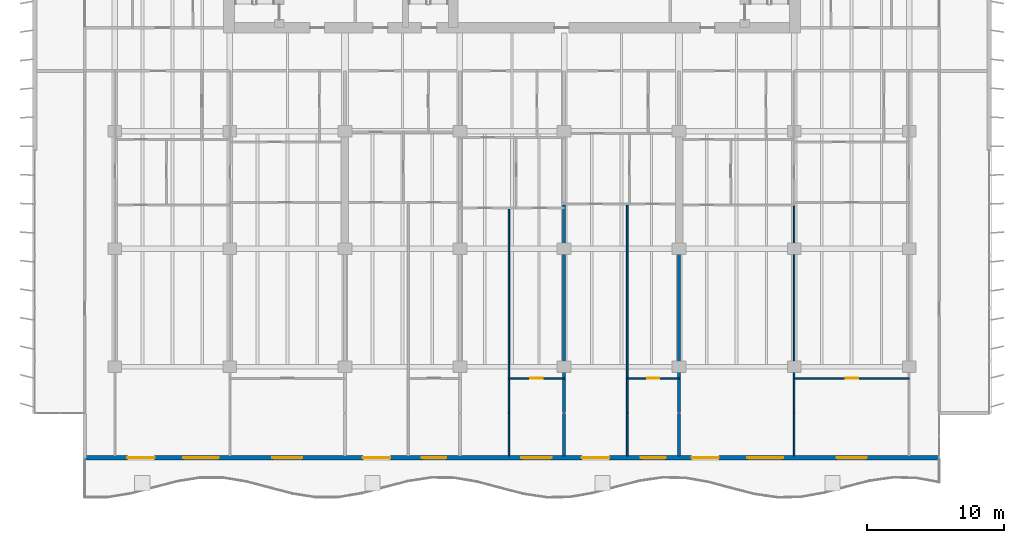
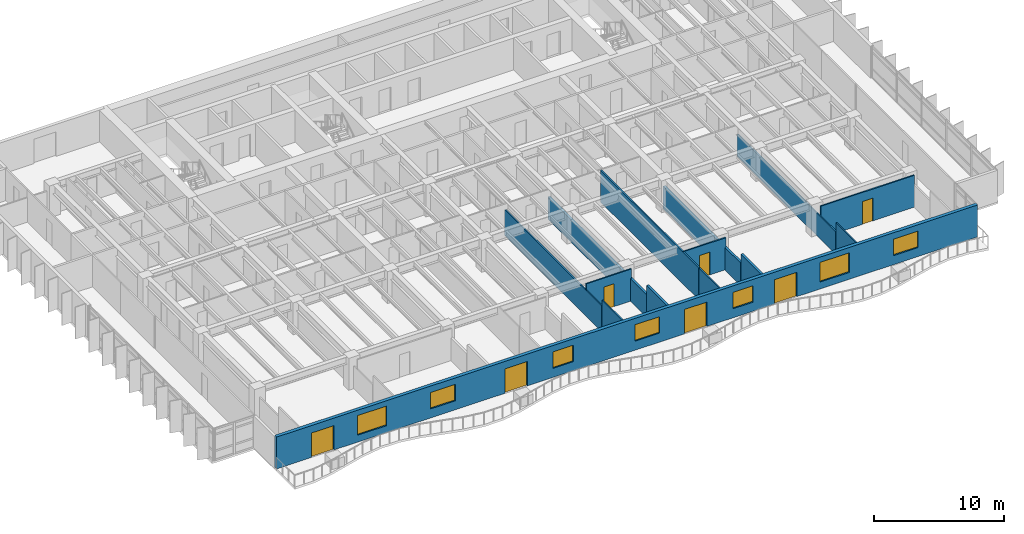
# One storey, part 8 of 19: 14 walls, 7 doors, 7 windows, 14 openings.
"""IFC4 building model written with IfcOpenShell, lengths in metres."""

from ifc_helpers import new_model, si_unit, direction, frame, frame_2d, origin, place, context, subcontext, project, spatial, rectangle, extrude, material, layer, layer_set, type_object, element, fill, save


model = new_model("IFC4")

# Units and contexts
model_context = context("Model", 3, precision=1e-05, world=origin(), true_north=direction((0.0, 1.0)))
body_context = subcontext(model_context, "Body", "Model", "MODEL_VIEW")
ifc_project = project(units=[si_unit("LENGTHUNIT", "METRE"), si_unit("AREAUNIT", "SQUARE_METRE"), si_unit("VOLUMEUNIT", "CUBIC_METRE"), si_unit("PLANEANGLEUNIT", "RADIAN"), si_unit("MASSUNIT", "GRAM", prefix="KILO")], contexts=[model_context])

# Site, building, storey
site_placement = place(None, origin())
site = spatial("IfcSite", under=ifc_project, at=site_placement, CompositionType="ELEMENT")
building_placement = place(site_placement, origin())
building = spatial("IfcBuilding", under=site, at=building_placement, Name="Caelmar Bay Residences", CompositionType="ELEMENT")
storey_placement = place(building_placement, frame((0.0, 0.0, 94.5)))
storey = spatial("IfcBuildingStorey", under=building, at=storey_placement, Name="L25", CompositionType="ELEMENT", Elevation=94.5)

# Wall, openings, doors, windows
ifc_material_1 = material(Name="Precast concrete f'c 40 MPa (6,000 psi)", Category="concrete")
ifc_layer_1 = layer(ifc_material_1, 0.300048828125)
ifc_layer_set_1 = layer_set([ifc_layer_1], Name="Precast concrete f'c 40 MPa (6,000 psi)")
wall_type_1 = type_object("IfcWallType", Name="W-EXT-300", PredefinedType="STANDARD", material=ifc_layer_set_1)
wall_1_placement = place(storey_placement, frame((70.10009765625, 5.550048828125, 0.0), z_axis=(0.0, 0.0, 1.0), x_axis=(-1.0, 0.0, 0.0)))
wall_1 = element("IfcWall", 1, at=wall_1_placement, inside=storey, type_object=wall_type_1, Name="L25 South Bayfront Exterior Wall", PredefinedType="STANDARD", context=body_context, shape_type="SweptSolid", body=[
    extrude(rectangle(XDim=62.400146484375, YDim=0.300048828125, at=frame_2d((31.2001953125, 0.0))), origin(), (0.0, 0.0, 1.0), 3.0),
])
opening_1_placement = place(wall_1_placement, frame((57.2900390625, 0.0, 0.0)))
opening_1 = element("IfcOpeningElement", 2, at=opening_1_placement, cuts=wall_1, Name="Opening L25-BD01", PredefinedType="OPENING", context=body_context, shape_type="SweptSolid", body=[
    extrude(rectangle(XDim=2.0, YDim=2.300048828125, at=frame_2d((1.0, 1.14990234375))), frame((0.0, 0.159912109375, 0.0), z_axis=(0.0, -1.0, 0.0), x_axis=(1.0, 0.0, 0.0)), (0.0, 0.0, 1.0), 0.320068359375),
])
opening_2_placement = place(wall_1_placement, frame((52.610107421875, 0.0, 0.64990234375)))
opening_2 = element("IfcOpeningElement", 3, at=opening_2_placement, cuts=wall_1, Name="Opening WN3", PredefinedType="OPENING", context=body_context, shape_type="SweptSolid", body=[
    extrude(rectangle(XDim=2.60009765625, YDim=1.85009765625, at=frame_2d((1.300048828125, 0.925048828125))), frame((0.0, 0.159912109375, 0.0), z_axis=(0.0, -1.0, 0.0), x_axis=(1.0, 0.0, 0.0)), (0.0, 0.0, 1.0), 0.320068359375),
])
opening_3_placement = place(wall_1_placement, frame((46.5, 0.0, 0.85009765625)))
opening_3 = element("IfcOpeningElement", 4, at=opening_3_placement, cuts=wall_1, Name="Opening WN2", PredefinedType="OPENING", context=body_context, shape_type="SweptSolid", body=[
    extrude(rectangle(XDim=2.199951171875, YDim=1.550048828125, at=frame_2d((1.10009765625, 0.77490234375))), frame((0.0, 0.159912109375, 0.0), z_axis=(0.0, -1.0, 0.0), x_axis=(1.0, 0.0, 0.0)), (0.0, 0.0, 1.0), 0.320068359375),
])
opening_4_placement = place(wall_1_placement, frame((40.090087890625, 0.0, 0.0)))
opening_4 = element("IfcOpeningElement", 5, at=opening_4_placement, cuts=wall_1, Name="Opening L25-BD02", PredefinedType="OPENING", context=body_context, shape_type="SweptSolid", body=[
    extrude(rectangle(XDim=2.0, YDim=2.300048828125, at=frame_2d((1.0, 1.14990234375))), frame((0.0, 0.159912109375, 0.0), z_axis=(0.0, -1.0, 0.0), x_axis=(1.0, 0.0, 0.0)), (0.0, 0.0, 1.0), 0.320068359375),
])
opening_5_placement = place(wall_1_placement, frame((35.989990234375, 0.0, 0.85009765625)))
opening_5 = element("IfcOpeningElement", 6, at=opening_5_placement, cuts=wall_1, Name="Opening WN1", PredefinedType="OPENING", context=body_context, shape_type="SweptSolid", body=[
    extrude(rectangle(XDim=1.800048828125, YDim=1.550048828125, at=frame_2d((0.89990234375, 0.77490234375))), frame((0.0, 0.159912109375, 0.0), z_axis=(0.0, -1.0, 0.0), x_axis=(1.0, 0.0, 0.0)), (0.0, 0.0, 1.0), 0.320068359375),
])
opening_6_placement = place(wall_1_placement, frame((28.31396484375, 0.0, 0.85009765625)))
opening_6 = element("IfcOpeningElement", 7, at=opening_6_placement, cuts=wall_1, Name="Opening WN2", PredefinedType="OPENING", context=body_context, shape_type="SweptSolid", body=[
    extrude(rectangle(XDim=2.199951171875, YDim=1.550048828125, at=frame_2d((1.10009765625, 0.77490234375))), frame((0.0, 0.159912109375, 0.0), z_axis=(0.0, -1.0, 0.0), x_axis=(1.0, 0.0, 0.0)), (0.0, 0.0, 1.0), 0.320068359375),
])
opening_7_placement = place(wall_1_placement, frame((24.090087890625, 0.0, 0.0)))
opening_7 = element("IfcOpeningElement", 8, at=opening_7_placement, cuts=wall_1, Name="Opening L25-BD03", PredefinedType="OPENING", context=body_context, shape_type="SweptSolid", body=[
    extrude(rectangle(XDim=2.0, YDim=2.300048828125, at=frame_2d((1.0, 1.14990234375))), frame((0.0, 0.159912109375, 0.0), z_axis=(0.0, -1.0, 0.0), x_axis=(1.0, 0.0, 0.0)), (0.0, 0.0, 1.0), 0.320068359375),
])
opening_8_placement = place(wall_1_placement, frame((19.989990234375, 0.0, 0.85009765625)))
opening_8 = element("IfcOpeningElement", 9, at=opening_8_placement, cuts=wall_1, Name="Opening WN1", PredefinedType="OPENING", context=body_context, shape_type="SweptSolid", body=[
    extrude(rectangle(XDim=1.800048828125, YDim=1.550048828125, at=frame_2d((0.89990234375, 0.77490234375))), frame((0.0, 0.159912109375, 0.0), z_axis=(0.0, -1.0, 0.0), x_axis=(1.0, 0.0, 0.0)), (0.0, 0.0, 1.0), 0.320068359375),
])
opening_9_placement = place(wall_1_placement, frame((16.090087890625, 0.0, 0.0)))
opening_9 = element("IfcOpeningElement", 10, at=opening_9_placement, cuts=wall_1, Name="Opening L25-BD04", PredefinedType="OPENING", context=body_context, shape_type="SweptSolid", body=[
    extrude(rectangle(XDim=2.0, YDim=2.300048828125, at=frame_2d((1.0, 1.14990234375))), frame((0.0, 0.159912109375, 0.0), z_axis=(0.0, -1.0, 0.0), x_axis=(1.0, 0.0, 0.0)), (0.0, 0.0, 1.0), 0.320068359375),
])
opening_10_placement = place(wall_1_placement, frame((11.409912109375, 0.0, 0.64990234375)))
opening_10 = element("IfcOpeningElement", 11, at=opening_10_placement, cuts=wall_1, Name="Opening WN3", PredefinedType="OPENING", context=body_context, shape_type="SweptSolid", body=[
    extrude(rectangle(XDim=2.60009765625, YDim=1.85009765625, at=frame_2d((1.300048828125, 0.925048828125))), frame((0.0, 0.159912109375, 0.0), z_axis=(0.0, -1.0, 0.0), x_axis=(1.0, 0.0, 0.0)), (0.0, 0.0, 1.0), 0.320068359375),
])
opening_11_placement = place(wall_1_placement, frame((5.300048828125, 0.0, 0.85009765625)))
opening_11 = element("IfcOpeningElement", 12, at=opening_11_placement, cuts=wall_1, Name="Opening WN2", PredefinedType="OPENING", context=body_context, shape_type="SweptSolid", body=[
    extrude(rectangle(XDim=2.199951171875, YDim=1.550048828125, at=frame_2d((1.10009765625, 0.77490234375))), frame((0.0, 0.159912109375, 0.0), z_axis=(0.0, -1.0, 0.0), x_axis=(1.0, 0.0, 0.0)), (0.0, 0.0, 1.0), 0.320068359375),
])
ifc_material_2 = material(Name="Anodised bronze thermally broken sliding glass door", Category="glass")
ifc_layer_2 = layer(ifc_material_2, 0.050048828125)
ifc_layer_set_2 = layer_set([ifc_layer_2], Name="Anodised bronze thermally broken sliding glass door")
door_type_1 = type_object("IfcDoorType", Name="D-BAL-2000", OperationType="DOUBLE_DOOR_SLIDING", PredefinedType="DOOR", material=ifc_layer_set_2)
door_1_placement = place(opening_1_placement, origin())
door_1 = element("IfcDoor", 13, at=door_1_placement, inside=storey, type_object=door_type_1, Name="L25 Residence 01 Penthouse Living Salon Balcony Door", OperationType="DOUBLE_DOOR_SLIDING", OverallHeight=2.300048828125, OverallWidth=2.0, PredefinedType="DOOR", context=body_context, shape_type="SweptSolid", body=[
    extrude(rectangle(XDim=2.0, YDim=2.300048828125, at=frame_2d((1.0, 1.14990234375))), frame((0.0, 0.02490234375, 0.0), z_axis=(0.0, -1.0, 0.0), x_axis=(1.0, 0.0, 0.0)), (0.0, 0.0, 1.0), 0.050048828125),
])
fill(opening_1, door_1)
door_2_placement = place(opening_4_placement, origin())
door_2 = element("IfcDoor", 14, at=door_2_placement, inside=storey, type_object=door_type_1, Name="L25 Residence 02 Penthouse Living Salon Balcony Door", OperationType="DOUBLE_DOOR_SLIDING", OverallHeight=2.300048828125, OverallWidth=2.0, PredefinedType="DOOR", context=body_context, shape_type="SweptSolid", body=[
    extrude(rectangle(XDim=2.0, YDim=2.300048828125, at=frame_2d((1.0, 1.14990234375))), frame((0.0, 0.02490234375, 0.0), z_axis=(0.0, -1.0, 0.0), x_axis=(1.0, 0.0, 0.0)), (0.0, 0.0, 1.0), 0.050048828125),
])
fill(opening_4, door_2)
door_3_placement = place(opening_7_placement, origin())
door_3 = element("IfcDoor", 15, at=door_3_placement, inside=storey, type_object=door_type_1, Name="L25 Residence 04 Penthouse Living Salon Balcony Door", OperationType="DOUBLE_DOOR_SLIDING", OverallHeight=2.300048828125, OverallWidth=2.0, PredefinedType="DOOR", context=body_context, shape_type="SweptSolid", body=[
    extrude(rectangle(XDim=2.0, YDim=2.300048828125, at=frame_2d((1.0, 1.14990234375))), frame((0.0, 0.02490234375, 0.0), z_axis=(0.0, -1.0, 0.0), x_axis=(1.0, 0.0, 0.0)), (0.0, 0.0, 1.0), 0.050048828125),
])
fill(opening_7, door_3)
door_4_placement = place(opening_9_placement, origin())
door_4 = element("IfcDoor", 16, at=door_4_placement, inside=storey, type_object=door_type_1, Name="L25 Residence 05 Penthouse Living Salon Balcony Door", OperationType="DOUBLE_DOOR_SLIDING", OverallHeight=2.300048828125, OverallWidth=2.0, PredefinedType="DOOR", context=body_context, shape_type="SweptSolid", body=[
    extrude(rectangle(XDim=2.0, YDim=2.300048828125, at=frame_2d((1.0, 1.14990234375))), frame((0.0, 0.02490234375, 0.0), z_axis=(0.0, -1.0, 0.0), x_axis=(1.0, 0.0, 0.0)), (0.0, 0.0, 1.0), 0.050048828125),
])
fill(opening_9, door_4)
ifc_material_3 = material(Name="Bronze aluminium frame with laminated low-E glass", Category="aluminium")
ifc_layer_3 = layer(ifc_material_3, 0.06005859375)
ifc_layer_set_3 = layer_set([ifc_layer_3], Name="Bronze aluminium frame with laminated low-E glass")
window_type_1 = type_object("IfcWindowType", Name="WIN-BR-1800", PartitioningType="SINGLE_PANEL", PredefinedType="WINDOW", material=ifc_layer_set_3)
window_1_placement = place(opening_5_placement, origin())
window_1 = element("IfcWindow", 17, at=window_1_placement, inside=storey, type_object=window_type_1, Name="L25 Residence 02 Primary Bedroom Window", OverallHeight=1.550048828125, OverallWidth=1.800048828125, PartitioningType="SINGLE_PANEL", PredefinedType="WINDOW", context=body_context, shape_type="SweptSolid", body=[
    extrude(rectangle(XDim=1.800048828125, YDim=1.550048828125, at=frame_2d((0.89990234375, 0.77490234375))), frame((0.0, 0.030029296875, 0.0), z_axis=(0.0, -1.0, 0.0), x_axis=(1.0, 0.0, 0.0)), (0.0, 0.0, 1.0), 0.06005859375),
])
fill(opening_5, window_1)
window_2_placement = place(opening_8_placement, origin())
window_2 = element("IfcWindow", 18, at=window_2_placement, inside=storey, type_object=window_type_1, Name="L25 Residence 04 Primary Bedroom Window", OverallHeight=1.550048828125, OverallWidth=1.800048828125, PartitioningType="SINGLE_PANEL", PredefinedType="WINDOW", context=body_context, shape_type="SweptSolid", body=[
    extrude(rectangle(XDim=1.800048828125, YDim=1.550048828125, at=frame_2d((0.89990234375, 0.77490234375))), frame((0.0, 0.030029296875, 0.0), z_axis=(0.0, -1.0, 0.0), x_axis=(1.0, 0.0, 0.0)), (0.0, 0.0, 1.0), 0.06005859375),
])
fill(opening_8, window_2)
ifc_layer_4 = layer(ifc_material_3, 0.06005859375)
ifc_layer_set_4 = layer_set([ifc_layer_4], Name="Bronze aluminium frame with laminated low-E glass")
window_type_2 = type_object("IfcWindowType", Name="WIN-BR-2200", PartitioningType="SINGLE_PANEL", PredefinedType="WINDOW", material=ifc_layer_set_4)
window_3_placement = place(opening_3_placement, origin())
window_3 = element("IfcWindow", 19, at=window_3_placement, inside=storey, type_object=window_type_2, Name="L25 Residence 01 Primary Bedroom 1 Window", OverallHeight=1.550048828125, OverallWidth=2.199951171875, PartitioningType="SINGLE_PANEL", PredefinedType="WINDOW", context=body_context, shape_type="SweptSolid", body=[
    extrude(rectangle(XDim=2.199951171875, YDim=1.550048828125, at=frame_2d((1.10009765625, 0.77490234375))), frame((0.0, 0.030029296875, 0.0), z_axis=(0.0, -1.0, 0.0), x_axis=(1.0, 0.0, 0.0)), (0.0, 0.0, 1.0), 0.06005859375),
])
fill(opening_3, window_3)
window_4_placement = place(opening_6_placement, origin())
window_4 = element("IfcWindow", 20, at=window_4_placement, inside=storey, type_object=window_type_2, Name="L25 Residence 03 Primary Bedroom Window", OverallHeight=1.550048828125, OverallWidth=2.199951171875, PartitioningType="SINGLE_PANEL", PredefinedType="WINDOW", context=body_context, shape_type="SweptSolid", body=[
    extrude(rectangle(XDim=2.199951171875, YDim=1.550048828125, at=frame_2d((1.10009765625, 0.77490234375))), frame((0.0, 0.030029296875, 0.0), z_axis=(0.0, -1.0, 0.0), x_axis=(1.0, 0.0, 0.0)), (0.0, 0.0, 1.0), 0.06005859375),
])
fill(opening_6, window_4)
window_5_placement = place(opening_11_placement, origin())
window_5 = element("IfcWindow", 21, at=window_5_placement, inside=storey, type_object=window_type_2, Name="L25 Residence 05 Primary Bedroom 1 Window", OverallHeight=1.550048828125, OverallWidth=2.199951171875, PartitioningType="SINGLE_PANEL", PredefinedType="WINDOW", context=body_context, shape_type="SweptSolid", body=[
    extrude(rectangle(XDim=2.199951171875, YDim=1.550048828125, at=frame_2d((1.10009765625, 0.77490234375))), frame((0.0, 0.030029296875, 0.0), z_axis=(0.0, -1.0, 0.0), x_axis=(1.0, 0.0, 0.0)), (0.0, 0.0, 1.0), 0.06005859375),
])
fill(opening_11, window_5)
ifc_layer_5 = layer(ifc_material_3, 0.06005859375)
ifc_layer_set_5 = layer_set([ifc_layer_5], Name="Bronze aluminium frame with laminated low-E glass")
window_type_3 = type_object("IfcWindowType", Name="WIN-LIV-2600", PartitioningType="SINGLE_PANEL", PredefinedType="WINDOW", material=ifc_layer_set_5)
window_6_placement = place(opening_2_placement, origin())
window_6 = element("IfcWindow", 22, at=window_6_placement, inside=storey, type_object=window_type_3, Name="L25 Residence 01 Penthouse Living Salon Panoramic Window", OverallHeight=1.85009765625, OverallWidth=2.60009765625, PartitioningType="SINGLE_PANEL", PredefinedType="WINDOW", context=body_context, shape_type="SweptSolid", body=[
    extrude(rectangle(XDim=2.60009765625, YDim=1.85009765625, at=frame_2d((1.300048828125, 0.925048828125))), frame((0.0, 0.030029296875, 0.0), z_axis=(0.0, -1.0, 0.0), x_axis=(1.0, 0.0, 0.0)), (0.0, 0.0, 1.0), 0.06005859375),
])
fill(opening_2, window_6)
window_7_placement = place(opening_10_placement, origin())
window_7 = element("IfcWindow", 23, at=window_7_placement, inside=storey, type_object=window_type_3, Name="L25 Residence 05 Penthouse Living Salon Panoramic Window", OverallHeight=1.85009765625, OverallWidth=2.60009765625, PartitioningType="SINGLE_PANEL", PredefinedType="WINDOW", context=body_context, shape_type="SweptSolid", body=[
    extrude(rectangle(XDim=2.60009765625, YDim=1.85009765625, at=frame_2d((1.300048828125, 0.925048828125))), frame((0.0, 0.030029296875, 0.0), z_axis=(0.0, -1.0, 0.0), x_axis=(1.0, 0.0, 0.0)), (0.0, 0.0, 1.0), 0.06005859375),
])
fill(opening_10, window_7)

# Walls
ifc_material_4 = material(Name="Acoustic metal-stud gypsum partition 120 mm")
ifc_layer_6 = layer(ifc_material_4, 0.1201171875)
ifc_layer_set_6 = layer_set([ifc_layer_6], Name="Acoustic metal-stud gypsum partition 120 mm")
wall_type_2 = type_object("IfcWallType", Name="W-PRT-120", PredefinedType="PARTITIONING", material=ifc_layer_set_6)
wall_2_placement = place(storey_placement, frame((38.672119140625, 5.695068359375, 0.0), z_axis=(0.0, 0.0, 1.0), x_axis=(0.0, 1.0, 0.0)))
element("IfcWall", 24, at=wall_2_placement, inside=storey, type_object=wall_type_2, Name="L25 Partition Wall V044", PredefinedType="PARTITIONING", context=body_context, shape_type="SweptSolid", body=[
    extrude(rectangle(XDim=3.10498046875, YDim=0.1201171875, at=frame_2d((1.552490234375, 0.0))), origin(), (0.0, 0.0, 1.0), 3.0),
])
wall_3_placement = place(storey_placement, frame((38.672119140625, 8.840087890625, 0.0), z_axis=(0.0, 0.0, 1.0), x_axis=(0.0, 1.0, 0.0)))
element("IfcWall", 25, at=wall_3_placement, inside=storey, type_object=wall_type_2, Name="L25 Partition Wall V045", PredefinedType="PARTITIONING", context=body_context, shape_type="SweptSolid", body=[
    extrude(rectangle(XDim=14.949951171875, YDim=0.1201171875, at=frame_2d((7.47509765625, 0.0))), origin(), (0.0, 0.0, 1.0), 2.43603515625),
])
wall_4_placement = place(storey_placement, frame((47.320068359375, 5.695068359375, 0.0), z_axis=(0.0, 0.0, 1.0), x_axis=(0.0, 1.0, 0.0)))
element("IfcWall", 26, at=wall_4_placement, inside=storey, type_object=wall_type_2, Name="L25 Partition Wall V060", PredefinedType="PARTITIONING", context=body_context, shape_type="SweptSolid", body=[
    extrude(rectangle(XDim=3.10498046875, YDim=0.1201171875, at=frame_2d((1.552490234375, 0.0))), origin(), (0.0, 0.0, 1.0), 3.0),
])
wall_5_placement = place(storey_placement, frame((47.320068359375, 8.840087890625, 0.0), z_axis=(0.0, 0.0, 1.0), x_axis=(0.0, 1.0, 0.0)))
element("IfcWall", 27, at=wall_5_placement, inside=storey, type_object=wall_type_2, Name="L25 Partition Wall V061", PredefinedType="PARTITIONING", context=body_context, shape_type="SweptSolid", body=[
    extrude(rectangle(XDim=15.159912109375, YDim=0.1201171875, at=frame_2d((7.580078125, 0.0))), origin(), (0.0, 0.0, 1.0), 3.0),
])
wall_6_placement = place(storey_placement, frame((59.5, 5.695068359375, 0.0), z_axis=(0.0, 0.0, 1.0), x_axis=(0.0, 1.0, 0.0)))
element("IfcWall", 28, at=wall_6_placement, inside=storey, type_object=wall_type_2, Name="L25 Partition Wall V078", PredefinedType="PARTITIONING", context=body_context, shape_type="SweptSolid", body=[
    extrude(rectangle(XDim=3.10498046875, YDim=0.1201171875, at=frame_2d((1.552490234375, 0.0))), origin(), (0.0, 0.0, 1.0), 3.0),
])
wall_7_placement = place(storey_placement, frame((59.5, 8.840087890625, 0.0), z_axis=(0.0, 0.0, 1.0), x_axis=(0.0, 1.0, 0.0)))
element("IfcWall", 29, at=wall_7_placement, inside=storey, type_object=wall_type_2, Name="L25 Partition Wall V079", PredefinedType="PARTITIONING", context=body_context, shape_type="SweptSolid", body=[
    extrude(rectangle(XDim=15.159912109375, YDim=0.1201171875, at=frame_2d((7.580078125, 0.0))), origin(), (0.0, 0.0, 1.0), 2.1240234375),
])

# Wall, opening, door
wall_8_placement = place(storey_placement, frame((38.672119140625, 11.35009765625, 0.0), z_axis=(0.0, 0.0, 1.0), x_axis=(1.0, 0.0, 0.0)))
wall_8 = element("IfcWall", 30, at=wall_8_placement, inside=storey, type_object=wall_type_2, Name="L25 Partition Wall H101", PredefinedType="PARTITIONING", context=body_context, shape_type="SweptSolid", body=[
    extrude(rectangle(XDim=4.02783203125, YDim=0.1201171875, at=frame_2d((2.013916015625, 0.0))), origin(), (0.0, 0.0, 1.0), 3.0),
])
opening_12_placement = place(wall_8_placement, frame((1.56396484375, 0.0, 0.0)))
opening_12 = element("IfcOpeningElement", 31, at=opening_12_placement, cuts=wall_8, Name="Opening D-L25-143", PredefinedType="OPENING", context=body_context, shape_type="SweptSolid", body=[
    extrude(rectangle(XDim=0.89990234375, YDim=2.14990234375, at=frame_2d((0.449951171875, 1.074951171875))), frame((0.0, 0.070068359375, 0.0), z_axis=(0.0, -1.0, 0.0), x_axis=(1.0, 0.0, 0.0)), (0.0, 0.0, 1.0), 0.14013671875),
])
ifc_material_5 = material(Name="Solid walnut timber interior door leaf and frame", Category="wood")
ifc_layer_7 = layer(ifc_material_5, 0.050048828125)
ifc_layer_set_7 = layer_set([ifc_layer_7], Name="Solid walnut timber interior door leaf and frame")
door_type_2 = type_object("IfcDoorType", Name="D-ROOM-900", OperationType="NOTDEFINED", PredefinedType="DOOR", material=ifc_layer_set_7)
door_5_placement = place(opening_12_placement, origin())
door_5 = element("IfcDoor", 32, at=door_5_placement, inside=storey, type_object=door_type_2, Name="L25 Residence 03 Primary Bedroom Door", OperationType="SINGLE_SWING_RIGHT", OverallHeight=2.14990234375, OverallWidth=0.89990234375, PredefinedType="DOOR", context=body_context, shape_type="SweptSolid", body=[
    extrude(rectangle(XDim=0.89990234375, YDim=2.14990234375, at=frame_2d((0.449951171875, 1.074951171875))), frame((0.0, 0.02490234375, 0.0), z_axis=(0.0, -1.0, 0.0), x_axis=(1.0, 0.0, 0.0)), (0.0, 0.0, 1.0), 0.050048828125),
])
fill(opening_12, door_5)

wall_9_placement = place(storey_placement, frame((47.320068359375, 11.35009765625, 0.0), z_axis=(0.0, 0.0, 1.0), x_axis=(1.0, 0.0, 0.0)))
wall_9 = element("IfcWall", 33, at=wall_9_placement, inside=storey, type_object=wall_type_2, Name="L25 Partition Wall H102", PredefinedType="PARTITIONING", context=body_context, shape_type="SweptSolid", body=[
    extrude(rectangle(XDim=3.780029296875, YDim=0.1201171875, at=frame_2d((1.89013671875, 0.0))), origin(), (0.0, 0.0, 1.0), 3.0),
])
opening_13_placement = place(wall_9_placement, frame((1.43994140625, 0.0, 0.0)))
opening_13 = element("IfcOpeningElement", 34, at=opening_13_placement, cuts=wall_9, Name="Opening D-L25-150", PredefinedType="OPENING", context=body_context, shape_type="SweptSolid", body=[
    extrude(rectangle(XDim=0.89990234375, YDim=2.14990234375, at=frame_2d((0.449951171875, 1.074951171875))), frame((0.0, 0.070068359375, 0.0), z_axis=(0.0, -1.0, 0.0), x_axis=(1.0, 0.0, 0.0)), (0.0, 0.0, 1.0), 0.14013671875),
])
door_6_placement = place(opening_13_placement, origin())
door_6 = element("IfcDoor", 35, at=door_6_placement, inside=storey, type_object=door_type_2, Name="L25 Residence 04 Primary Bedroom Door", OperationType="SINGLE_SWING_LEFT", OverallHeight=2.14990234375, OverallWidth=0.89990234375, PredefinedType="DOOR", context=body_context, shape_type="SweptSolid", body=[
    extrude(rectangle(XDim=0.89990234375, YDim=2.14990234375, at=frame_2d((0.449951171875, 1.074951171875))), frame((0.0, 0.02490234375, 0.0), z_axis=(0.0, -1.0, 0.0), x_axis=(1.0, 0.0, 0.0)), (0.0, 0.0, 1.0), 0.050048828125),
])
fill(opening_13, door_6)

wall_10_placement = place(storey_placement, frame((59.550048828125, 11.35009765625, 0.0), z_axis=(0.0, 0.0, 1.0), x_axis=(1.0, 0.0, 0.0)))
wall_10 = element("IfcWall", 36, at=wall_10_placement, inside=storey, type_object=wall_type_2, Name="L25 Partition Wall H103", PredefinedType="PARTITIONING", context=body_context, shape_type="SweptSolid", body=[
    extrude(rectangle(XDim=8.349853515625, YDim=0.1201171875, at=frame_2d((4.1748046875, 0.0))), origin(), (0.0, 0.0, 1.0), 3.0),
])
opening_14_placement = place(wall_10_placement, frame((3.72509765625, 0.0, 0.0)))
opening_14 = element("IfcOpeningElement", 37, at=opening_14_placement, cuts=wall_10, Name="Opening D-L25-160", PredefinedType="OPENING", context=body_context, shape_type="SweptSolid", body=[
    extrude(rectangle(XDim=0.89990234375, YDim=2.14990234375, at=frame_2d((0.449951171875, 1.074951171875))), frame((0.0, 0.070068359375, 0.0), z_axis=(0.0, -1.0, 0.0), x_axis=(1.0, 0.0, 0.0)), (0.0, 0.0, 1.0), 0.14013671875),
])
door_7_placement = place(opening_14_placement, origin())
door_7 = element("IfcDoor", 38, at=door_7_placement, inside=storey, type_object=door_type_2, Name="L25 Residence 05 Primary Bedroom 1 Door", OperationType="SINGLE_SWING_LEFT", OverallHeight=2.14990234375, OverallWidth=0.89990234375, PredefinedType="DOOR", context=body_context, shape_type="SweptSolid", body=[
    extrude(rectangle(XDim=0.89990234375, YDim=2.14990234375, at=frame_2d((0.449951171875, 1.074951171875))), frame((0.0, 0.02490234375, 0.0), z_axis=(0.0, -1.0, 0.0), x_axis=(1.0, 0.0, 0.0)), (0.0, 0.0, 1.0), 0.050048828125),
])
fill(opening_14, door_7)

# Walls
ifc_material_6 = material(Name="Acoustic twin-stud fire-rated inter-tenancy partition 200 mm")
ifc_layer_8 = layer(ifc_material_6, 0.199951171875)
ifc_layer_set_8 = layer_set([ifc_layer_8], Name="Acoustic twin-stud fire-rated inter-tenancy partition 200 mm")
wall_type_3 = type_object("IfcWallType", Name="W-PTY-200", PredefinedType="PARTITIONING", material=ifc_layer_set_8)
wall_11_placement = place(storey_placement, frame((42.699951171875, 5.695068359375, 0.0), z_axis=(0.0, 0.0, 1.0), x_axis=(0.0, 1.0, 0.0)))
element("IfcWall", 39, at=wall_11_placement, inside=storey, type_object=wall_type_3, Name="L25 Partition Wall V053", PredefinedType="PARTITIONING", context=body_context, shape_type="SweptSolid", body=[
    extrude(rectangle(XDim=3.10498046875, YDim=0.199951171875, at=frame_2d((1.552490234375, 0.0))), origin(), (0.0, 0.0, 1.0), 3.0),
])
wall_12_placement = place(storey_placement, frame((42.699951171875, 8.840087890625, 0.0), z_axis=(0.0, 0.0, 1.0), x_axis=(0.0, 1.0, 0.0)))
element("IfcWall", 40, at=wall_12_placement, inside=storey, type_object=wall_type_3, Name="L25 Partition Wall V054", PredefinedType="PARTITIONING", context=body_context, shape_type="SweptSolid", body=[
    extrude(rectangle(XDim=15.159912109375, YDim=0.199951171875, at=frame_2d((7.580078125, 0.0))), origin(), (0.0, 0.0, 1.0), 2.1240234375),
])
wall_13_placement = place(storey_placement, frame((51.10009765625, 5.695068359375, 0.0), z_axis=(0.0, 0.0, 1.0), x_axis=(0.0, 1.0, 0.0)))
element("IfcWall", 41, at=wall_13_placement, inside=storey, type_object=wall_type_3, Name="L25 Partition Wall V069", PredefinedType="PARTITIONING", context=body_context, shape_type="SweptSolid", body=[
    extrude(rectangle(XDim=3.10498046875, YDim=0.199951171875, at=frame_2d((1.552490234375, 0.0))), origin(), (0.0, 0.0, 1.0), 3.0),
])
wall_14_placement = place(storey_placement, frame((51.10009765625, 8.840087890625, 0.0), z_axis=(0.0, 0.0, 1.0), x_axis=(0.0, 1.0, 0.0)))
element("IfcWall", 42, at=wall_14_placement, inside=storey, type_object=wall_type_3, Name="L25 Partition Wall V070", PredefinedType="PARTITIONING", context=body_context, shape_type="SweptSolid", body=[
    extrude(rectangle(XDim=11.954833984375, YDim=0.199951171875, at=frame_2d((5.9775390625, 0.0))), origin(), (0.0, 0.0, 1.0), 2.1240234375),
])

save(model, "model.ifc")
